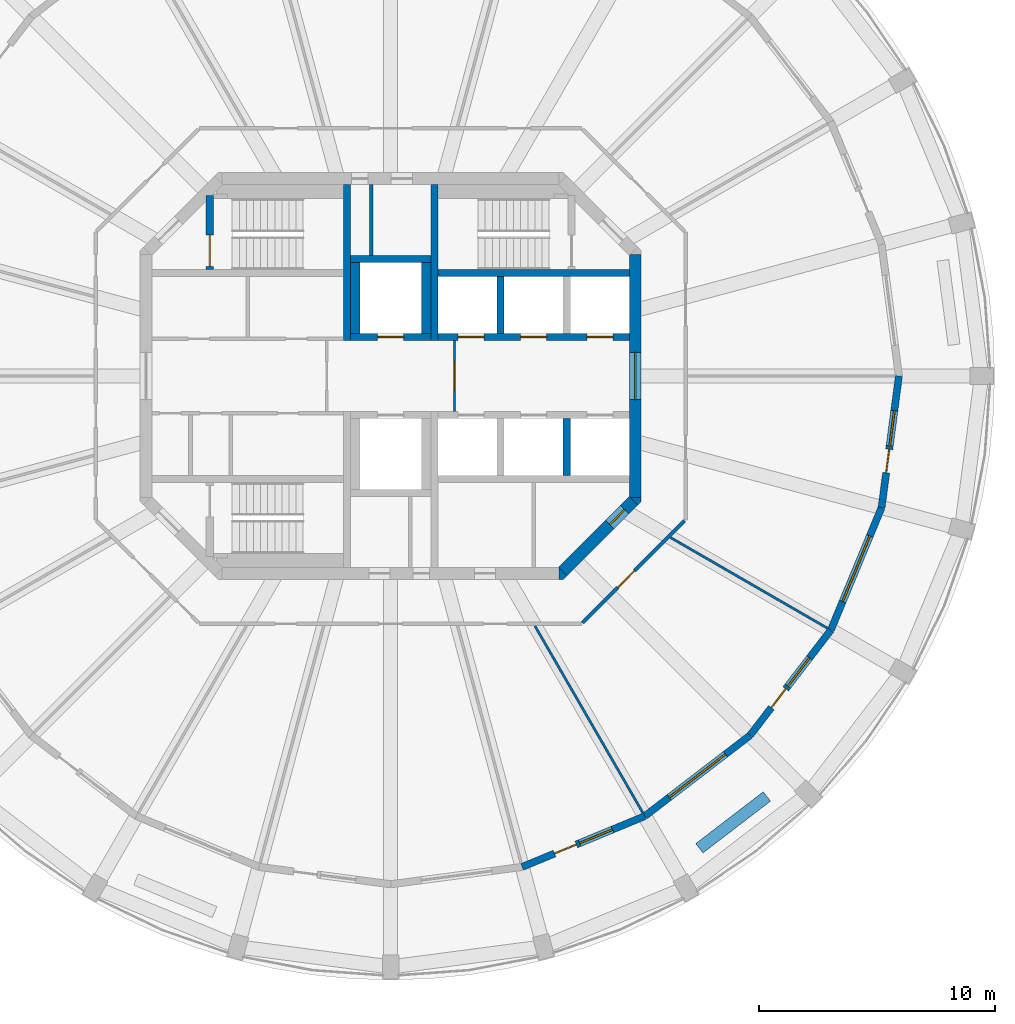
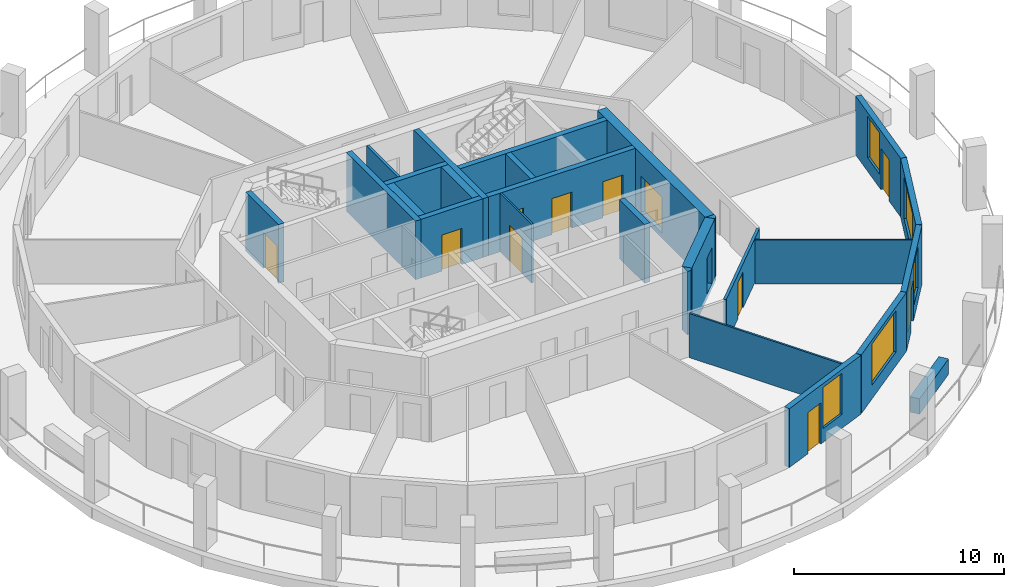
# One storey, part 4 of 8: 26 walls, 12 doors, 5 windows, 17 openings.
"""IFC4 building model written with IfcOpenShell, lengths in metres."""

from ifc_helpers import new_model, si_unit, direction, frame, frame_2d, origin, place, context, subcontext, project, spatial, polyline, rectangle, outline, extrude, material, layer, layer_set, type_object, element, fill, save


model = new_model("IFC4")

# Units and contexts
model_context = context("Model", 3, precision=1e-05, world=origin(), true_north=direction((0.0, 1.0)))
body_context = subcontext(model_context, "Body", "Model", "MODEL_VIEW")
ifc_project = project(units=[si_unit("LENGTHUNIT", "METRE"), si_unit("AREAUNIT", "SQUARE_METRE"), si_unit("VOLUMEUNIT", "CUBIC_METRE"), si_unit("PLANEANGLEUNIT", "RADIAN"), si_unit("MASSUNIT", "GRAM", prefix="KILO")], contexts=[model_context])

# Site, building, storey
site_placement = place(None, origin())
site = spatial("IfcSite", under=ifc_project, at=site_placement, CompositionType="ELEMENT")
building_placement = place(site_placement, origin())
building = spatial("IfcBuilding", under=site, at=building_placement, Name="Torre Triforio", CompositionType="ELEMENT")
storey_placement = place(building_placement, frame((0.0, 0.0, 283.39990234375)))
storey = spatial("IfcBuildingStorey", under=building, at=storey_placement, Name="L65", CompositionType="ELEMENT", Elevation=283.39990234375)

# Walls
ifc_material_1 = material(Name="Concrete C40", Category="concrete")
ifc_layer_1 = layer(ifc_material_1, 0.300048828125)
ifc_layer_set_1 = layer_set([ifc_layer_1], Name="Concrete C40")
wall_type_1 = type_object("IfcWallType", Name="Core wall 300 mm C40 EI 120", PredefinedType="SHEAR", material=ifc_layer_set_1)
for number, where, z_axis, x_axis, name in (
    (1, (-1.85009765625, 1.5, 0.0), (0.0, 0.0, 1.0), (0.0, 1.0, 0.0), "Core wall"),
    (2, (1.85009765625, 1.5, 0.0), (0.0, 0.0, 1.0), (0.0, 1.0, 0.0), "Core wall"),
):
    element("IfcWall", number, at=place(storey_placement, frame(where, z_axis=z_axis, x_axis=x_axis)), inside=storey, type_object=wall_type_1, Name=name, PredefinedType="SHEAR", context=body_context, shape_type="SweptSolid", body=[
        extrude(rectangle(XDim=6.60009765625, YDim=0.300048828125, at=frame_2d((3.300048828125, 0.0))), origin(), (0.0, 0.0, 1.0), 3.420166015625),
    ])

# Wall, opening, door
ifc_layer_2 = layer(ifc_material_1, 0.5)
ifc_layer_set_2 = layer_set([ifc_layer_2], Name="Concrete C40")
wall_type_2 = type_object("IfcWallType", Name="Core wall 500 mm C40 EI 120", PredefinedType="SHEAR", material=ifc_layer_set_2)
wall_1_placement = place(storey_placement, frame((10.35009765625, -5.1298828125, -0.27978515625), z_axis=(0.0, 0.0, 1.0), x_axis=(0.0, 1.0, 0.0)))
wall_1 = element("IfcWall", 3, at=wall_1_placement, inside=storey, type_object=wall_type_2, Name="Core wall", PredefinedType="SHEAR", context=body_context, shape_type="SweptSolid", body=[
    extrude(rectangle(XDim=10.259765625, YDim=0.5, at=frame_2d((5.1298828125, 0.0))), origin(), (0.0, 0.0, 1.0), 3.699951171875),
])
opening_1_placement = place(wall_1_placement, frame((4.1298828125, 0.0, 0.280029296875)))
opening_1 = element("IfcOpeningElement", 4, at=opening_1_placement, cuts=wall_1, Name="Opening E-RING", PredefinedType="OPENING", context=body_context, shape_type="SweptSolid", body=[
    extrude(rectangle(XDim=2.0, YDim=2.10009765625, at=frame_2d((1.0, 1.050048828125))), frame((0.0, 0.260009765625, 0.0), z_axis=(0.0, -1.0, 0.0), x_axis=(1.0, 0.0, 0.0)), (0.0, 0.0, 1.0), 0.52001953125),
])
ifc_material_2 = material(Name="Hollow metal fire door leaf")
door_type_1 = type_object("IfcDoorType", Name="Lobby door 2000 x 2100 EI 60", OperationType="DOUBLE_DOOR_SINGLE_SWING", PredefinedType="DOOR", material=ifc_material_2)
door_1_placement = place(opening_1_placement, origin())
door_1 = element("IfcDoor", 5, at=door_1_placement, inside=storey, type_object=door_type_1, Name="Core door E-RING", OperationType="DOUBLE_DOOR_SINGLE_SWING", OverallHeight=2.10009765625, OverallWidth=2.0, PredefinedType="DOOR", context=body_context, shape_type="SweptSolid", body=[
    extrude(rectangle(XDim=2.0, YDim=2.10009765625, at=frame_2d((1.0, 1.050048828125))), frame((0.0, 0.02490234375, 0.0), z_axis=(0.0, -1.0, 0.0), x_axis=(1.0, 0.0, 0.0)), (0.0, 0.0, 1.0), 0.050048828125),
])
fill(opening_1, door_1)

wall_2_placement = place(storey_placement, frame((10.27685546875, -5.27685546875, -0.27978515625), z_axis=(0.0, 0.0, 1.0), x_axis=(-0.707106781187, -0.707106781187, 0.0)))
wall_2 = element("IfcWall", 6, at=wall_2_placement, inside=storey, type_object=wall_type_2, Name="Core wall", PredefinedType="SHEAR", context=body_context, shape_type="SweptSolid", body=[
    extrude(rectangle(XDim=4.24267578125, YDim=0.5, at=frame_2d((2.121337890625, 0.0))), origin(), (0.0, 0.0, 1.0), 3.699951171875),
])
opening_2_placement = place(wall_2_placement, frame((0.52001953125, 0.0, 0.280029296875)))
opening_2 = element("IfcOpeningElement", 7, at=opening_2_placement, cuts=wall_2, Name="Opening SE-02", PredefinedType="OPENING", context=body_context, shape_type="SweptSolid", body=[
    extrude(rectangle(XDim=0.89990234375, YDim=2.10009765625, at=frame_2d((0.449951171875, 1.050048828125))), frame((0.0, 0.260009765625, 0.0), z_axis=(0.0, -1.0, 0.0), x_axis=(1.0, 0.0, 0.0)), (0.0, 0.0, 1.0), 0.52001953125),
])
door_type_2 = type_object("IfcDoorType", Name="Room door 900 x 2100 EI 60", OperationType="NOTDEFINED", PredefinedType="DOOR", material=ifc_material_2)
door_2_placement = place(opening_2_placement, origin())
door_2 = element("IfcDoor", 8, at=door_2_placement, inside=storey, type_object=door_type_2, Name="Core door SE-02", OperationType="SINGLE_SWING_RIGHT", OverallHeight=2.10009765625, OverallWidth=0.89990234375, PredefinedType="DOOR", context=body_context, shape_type="SweptSolid", body=[
    extrude(rectangle(XDim=0.89990234375, YDim=2.10009765625, at=frame_2d((0.449951171875, 1.050048828125))), frame((0.0, 0.02490234375, 0.0), z_axis=(0.0, -1.0, 0.0), x_axis=(1.0, 0.0, 0.0)), (0.0, 0.0, 1.0), 0.050048828125),
])
fill(opening_2, door_2)

# Walls
wall_3_placement = place(storey_placement, frame((0.0, 0.0, -0.27978515625)))
element("IfcWall", 9, at=wall_3_placement, inside=storey, type_object=wall_type_2, Name="Core wall", PredefinedType="SHEAR", context=body_context, shape_type="SweptSolid", body=[
    extrude(outline(polyline([(7.30712890625, -8.60009765625), (7.1298828125, -8.60009765625), (7.1298828125, -8.1298828125), (7.45361328125, -8.45361328125), (7.30712890625, -8.60009765625)])), origin(), (0.0, 0.0, 1.0), 3.699951171875),
])
wall_4_placement = place(storey_placement, frame((0.0, 0.0, -0.27978515625)))
element("IfcWall", 10, at=wall_4_placement, inside=storey, type_object=wall_type_2, Name="Core wall", PredefinedType="SHEAR", context=body_context, shape_type="SweptSolid", body=[
    extrude(outline(polyline([(10.60009765625, -5.30712890625), (10.45361328125, -5.45361328125), (10.1298828125, -5.1298828125), (10.60009765625, -5.1298828125), (10.60009765625, -5.30712890625)])), origin(), (0.0, 0.0, 1.0), 3.699951171875),
])

# Wall, opening, door
ifc_material_3 = material(Name="Plasterboard on metal studs")
ifc_layer_3 = layer(ifc_material_3, 0.14990234375)
ifc_layer_set_3 = layer_set([ifc_layer_3], Name="Plasterboard on metal studs")
wall_type_3 = type_object("IfcWallType", Name="Corridor and tenancy wall 150 mm EI 60", PredefinedType="PARTITIONING", material=ifc_layer_set_3)
wall_5_placement = place(storey_placement, frame((12.43798828125, -6.120849609375, 0.0), z_axis=(0.0, 0.0, 1.0), x_axis=(-0.707106781187, -0.707106781187, 0.0)))
wall_5 = element("IfcWall", 11, at=wall_5_placement, inside=storey, type_object=wall_type_3, Name="Partition 1", PredefinedType="PARTITIONING", context=body_context, shape_type="SweptSolid", body=[
    extrude(rectangle(XDim=6.10546875, YDim=0.14990234375, at=frame_2d((3.052734375, 0.0))), origin(), (0.0, 0.0, 1.0), 2.570068359375),
])
opening_3_placement = place(wall_5_placement, frame((3.001953125, 0.0, 0.0)))
opening_3 = element("IfcOpeningElement", 12, at=opening_3_placement, cuts=wall_5, Name="Opening X1-01", PredefinedType="OPENING", context=body_context, shape_type="SweptSolid", body=[
    extrude(rectangle(XDim=1.0, YDim=2.10009765625, at=frame_2d((0.5, 1.050048828125))), frame((0.0, 0.0849609375, 0.0), z_axis=(0.0, -1.0, 0.0), x_axis=(1.0, 0.0, 0.0)), (0.0, 0.0, 1.0), 0.169921875),
])
ifc_material_4 = material(Name="Timber", Category="wood")
door_type_3 = type_object("IfcDoorType", Name="Door 1000 x 2100 single leaf EI 30", OperationType="NOTDEFINED", PredefinedType="DOOR", material=ifc_material_4)
door_3_placement = place(opening_3_placement, origin())
door_3 = element("IfcDoor", 13, at=door_3_placement, inside=storey, type_object=door_type_3, Name="Door X1-01", OperationType="SINGLE_SWING_LEFT", OverallHeight=2.10009765625, OverallWidth=1.0, PredefinedType="DOOR", context=body_context, shape_type="SweptSolid", body=[
    extrude(rectangle(XDim=1.0, YDim=2.10009765625, at=frame_2d((0.5, 1.050048828125))), frame((0.0, 0.02490234375, 0.0), z_axis=(0.0, -1.0, 0.0), x_axis=(1.0, 0.0, 0.0)), (0.0, 0.0, 1.0), 0.050048828125),
])
fill(opening_3, door_3)

ifc_material_5 = material(Name="Block and board partition")
ifc_layer_4 = layer(ifc_material_5, 0.10009765625)
ifc_layer_set_4 = layer_set([ifc_layer_4], Name="Block and board partition")
wall_type_4 = type_object("IfcWallType", Name="Partition 100 mm EI 120", PredefinedType="PARTITIONING", material=ifc_layer_set_4)
wall_6_placement = place(storey_placement, frame((2.699951171875, -1.5, 0.0), z_axis=(0.0, 0.0, 1.0), x_axis=(0.0, 1.0, 0.0)))
wall_6 = element("IfcWall", 14, at=wall_6_placement, inside=storey, type_object=wall_type_4, Name="Partition", PredefinedType="PARTITIONING", context=body_context, shape_type="SweptSolid", body=[
    extrude(rectangle(XDim=3.0, YDim=0.10009765625, at=frame_2d((1.5, 0.0))), origin(), (0.0, 0.0, 1.0), 3.420166015625),
])
opening_4_placement = place(wall_6_placement, frame((0.89990234375, 0.0, 0.0)))
opening_4 = element("IfcOpeningElement", 15, at=opening_4_placement, cuts=wall_6, Name="Opening FF-E", PredefinedType="OPENING", context=body_context, shape_type="SweptSolid", body=[
    extrude(rectangle(XDim=1.199951171875, YDim=2.10009765625, at=frame_2d((0.60009765625, 1.050048828125))), frame((0.0, 0.06005859375, 0.0), z_axis=(0.0, -1.0, 0.0), x_axis=(1.0, 0.0, 0.0)), (0.0, 0.0, 1.0), 0.1201171875),
])
door_type_4 = type_object("IfcDoorType", Name="Fire-fighting lobby door 1200 x 2100 EI 60", OperationType="NOTDEFINED", PredefinedType="DOOR", material=ifc_material_2)
door_4_placement = place(opening_4_placement, origin())
door_4 = element("IfcDoor", 16, at=door_4_placement, inside=storey, type_object=door_type_4, Name="Core door FF-E", OperationType="SINGLE_SWING_LEFT", OverallHeight=2.10009765625, OverallWidth=1.199951171875, PredefinedType="DOOR", context=body_context, shape_type="SweptSolid", body=[
    extrude(rectangle(XDim=1.199951171875, YDim=2.10009765625, at=frame_2d((0.60009765625, 1.050048828125))), frame((0.0, 0.02490234375, 0.0), z_axis=(0.0, -1.0, 0.0), x_axis=(1.0, 0.0, 0.0)), (0.0, 0.0, 1.0), 0.050048828125),
])
fill(opening_4, door_4)

# Walls
ifc_layer_5 = layer(ifc_material_3, 0.10009765625)
ifc_layer_set_5 = layer_set([ifc_layer_5], Name="Plasterboard on metal studs")
wall_type_5 = type_object("IfcWallType", Name="Partition 100 mm board on metal studs", PredefinedType="PARTITIONING", material=ifc_layer_set_5)
wall_7_placement = place(storey_placement, frame((6.105224609375, -10.57470703125, 0.0), z_axis=(0.0, 0.0, 1.0), x_axis=(0.500020406621, -0.866013621696, 0.0)))
element("IfcWall", 17, at=wall_7_placement, inside=storey, type_object=wall_type_5, Name="Partition 24", PredefinedType="PARTITIONING", context=body_context, shape_type="SweptSolid", body=[
    extrude(rectangle(XDim=9.1259765625, YDim=0.10009765625, at=frame_2d((4.56298828125, 0.0))), origin(), (0.0, 0.0, 1.0), 2.570068359375),
])
wall_8_placement = place(storey_placement, frame((11.845947265625, -6.839111328125, 0.0), z_axis=(0.0, 0.0, 1.0), x_axis=(0.866007734672, -0.500030602552, 0.0)))
element("IfcWall", 18, at=wall_8_placement, inside=storey, type_object=wall_type_5, Name="Partition 25", PredefinedType="PARTITIONING", context=body_context, shape_type="SweptSolid", body=[
    extrude(rectangle(XDim=7.658203125, YDim=0.10009765625, at=frame_2d((3.8291015625, 0.0))), origin(), (0.0, 0.0, 1.0), 2.570068359375),
])
ifc_layer_6 = layer(ifc_material_5, 0.14990234375)
ifc_layer_set_6 = layer_set([ifc_layer_6], Name="Block and board partition")
wall_type_6 = type_object("IfcWallType", Name="Partition 150 mm EI 120", PredefinedType="PARTITIONING", material=ifc_layer_set_6)
wall_9_placement = place(storey_placement, frame((-0.824951171875, 5.10009765625, 0.0), z_axis=(0.0, 0.0, 1.0), x_axis=(0.0, 1.0, 0.0)))
element("IfcWall", 19, at=wall_9_placement, inside=storey, type_object=wall_type_6, Name="Partition", PredefinedType="PARTITIONING", context=body_context, shape_type="SweptSolid", body=[
    extrude(rectangle(XDim=3.0, YDim=0.14990234375, at=frame_2d((1.5, 0.0))), origin(), (0.0, 0.0, 1.0), 3.420166015625),
])
ifc_material_6 = material(Name="Limestone cladding", Category="masonry")
ifc_layer_7 = layer(ifc_material_6, 0.10009765625)
ifc_layer_8 = layer(ifc_material_1, 0.39990234375)
ifc_layer_set_7 = layer_set([ifc_layer_7, ifc_layer_8], Name="Limestone cladding / Concrete C40")
wall_type_7 = type_object("IfcWallType", Name="Planter wall 500", PredefinedType="PARAPET", material=ifc_layer_set_7)
wall_10_placement = place(storey_placement, frame((13.060546875, -19.9775390625, 0.0), z_axis=(0.0, 0.0, 1.0), x_axis=(0.793326845617, 0.608795955984, 0.0)))
element("IfcWall", 20, at=wall_10_placement, inside=storey, type_object=wall_type_7, Name="Planter L65 bay 21", PredefinedType="PARAPET", context=body_context, shape_type="SweptSolid", body=[
    extrude(rectangle(XDim=3.599853515625, YDim=0.5, at=frame_2d((1.7998046875, 0.0))), origin(), (0.0, 0.0, 1.0), 0.900146484375),
])
ifc_layer_9 = layer(ifc_material_1, 0.300048828125)
ifc_layer_set_8 = layer_set([ifc_layer_9], Name="Concrete C40")
wall_type_8 = type_object("IfcWallType", Name="Shaft wall 300 mm C40 EI 120", PredefinedType="SOLIDWALL", material=ifc_layer_set_8)
wall_11_placement = place(storey_placement, frame((2.0, 4.35009765625, 0.0), z_axis=(0.0, 0.0, 1.0), x_axis=(1.0, 0.0, 0.0)))
element("IfcWall", 21, at=wall_11_placement, inside=storey, type_object=wall_type_8, Name="Shaft wall", PredefinedType="SOLIDWALL", context=body_context, shape_type="SweptSolid", body=[
    extrude(rectangle(XDim=8.10009765625, YDim=0.300048828125, at=frame_2d((4.050048828125, 0.0))), origin(), (0.0, 0.0, 1.0), 3.420166015625),
])

# Wall, openings, doors
wall_12_placement = place(storey_placement, frame((2.0, 1.64990234375, 0.0), z_axis=(0.0, 0.0, 1.0), x_axis=(1.0, 0.0, 0.0)))
wall_12 = element("IfcWall", 22, at=wall_12_placement, inside=storey, type_object=wall_type_8, Name="Shaft wall", PredefinedType="SOLIDWALL", context=body_context, shape_type="SweptSolid", body=[
    extrude(rectangle(XDim=8.10009765625, YDim=0.300048828125, at=frame_2d((4.050048828125, 0.0))), origin(), (0.0, 0.0, 1.0), 3.420166015625),
])
opening_5_placement = place(wall_12_placement, frame((0.85009765625, 0.0, 0.0)))
opening_5 = element("IfcOpeningElement", 23, at=opening_5_placement, cuts=wall_12, Name="Opening LD", PredefinedType="OPENING", context=body_context, shape_type="SweptSolid", body=[
    extrude(rectangle(XDim=1.10009765625, YDim=2.10009765625, at=frame_2d((0.550048828125, 1.050048828125))), frame((0.0, 0.159912109375, 0.0), z_axis=(0.0, -1.0, 0.0), x_axis=(1.0, 0.0, 0.0)), (0.0, 0.0, 1.0), 0.320068359375),
])
opening_6_placement = place(wall_12_placement, frame((3.5, 0.0, 0.0)))
opening_6 = element("IfcOpeningElement", 24, at=opening_6_placement, cuts=wall_12, Name="Opening LD", PredefinedType="OPENING", context=body_context, shape_type="SweptSolid", body=[
    extrude(rectangle(XDim=1.10009765625, YDim=2.10009765625, at=frame_2d((0.550048828125, 1.050048828125))), frame((0.0, 0.159912109375, 0.0), z_axis=(0.0, -1.0, 0.0), x_axis=(1.0, 0.0, 0.0)), (0.0, 0.0, 1.0), 0.320068359375),
])
opening_7_placement = place(wall_12_placement, frame((6.300048828125, 0.0, 0.0)))
opening_7 = element("IfcOpeningElement", 25, at=opening_7_placement, cuts=wall_12, Name="Opening LD", PredefinedType="OPENING", context=body_context, shape_type="SweptSolid", body=[
    extrude(rectangle(XDim=1.10009765625, YDim=2.10009765625, at=frame_2d((0.550048828125, 1.050048828125))), frame((0.0, 0.159912109375, 0.0), z_axis=(0.0, -1.0, 0.0), x_axis=(1.0, 0.0, 0.0)), (0.0, 0.0, 1.0), 0.320068359375),
])
door_type_5 = type_object("IfcDoorType", Name="Landing door 1100 x 2100 EI 60", OperationType="DOUBLE_DOOR_SLIDING", PredefinedType="DOOR", material=ifc_material_2)
door_5_placement = place(opening_5_placement, origin())
door_5 = element("IfcDoor", 26, at=door_5_placement, inside=storey, type_object=door_type_5, Name="Landing door HR1", OperationType="DOUBLE_DOOR_SLIDING", OverallHeight=2.10009765625, OverallWidth=1.10009765625, PredefinedType="DOOR", context=body_context, shape_type="SweptSolid", body=[
    extrude(rectangle(XDim=1.10009765625, YDim=2.10009765625, at=frame_2d((0.550048828125, 1.050048828125))), frame((0.0, 0.02490234375, 0.0), z_axis=(0.0, -1.0, 0.0), x_axis=(1.0, 0.0, 0.0)), (0.0, 0.0, 1.0), 0.050048828125),
])
fill(opening_5, door_5)
door_6_placement = place(opening_6_placement, origin())
door_6 = element("IfcDoor", 27, at=door_6_placement, inside=storey, type_object=door_type_5, Name="Landing door HR2", OperationType="DOUBLE_DOOR_SLIDING", OverallHeight=2.10009765625, OverallWidth=1.10009765625, PredefinedType="DOOR", context=body_context, shape_type="SweptSolid", body=[
    extrude(rectangle(XDim=1.10009765625, YDim=2.10009765625, at=frame_2d((0.550048828125, 1.050048828125))), frame((0.0, 0.02490234375, 0.0), z_axis=(0.0, -1.0, 0.0), x_axis=(1.0, 0.0, 0.0)), (0.0, 0.0, 1.0), 0.050048828125),
])
fill(opening_6, door_6)
door_7_placement = place(opening_7_placement, origin())
door_7 = element("IfcDoor", 28, at=door_7_placement, inside=storey, type_object=door_type_5, Name="Landing door HR3", OperationType="DOUBLE_DOOR_SLIDING", OverallHeight=2.10009765625, OverallWidth=1.10009765625, PredefinedType="DOOR", context=body_context, shape_type="SweptSolid", body=[
    extrude(rectangle(XDim=1.10009765625, YDim=2.10009765625, at=frame_2d((0.550048828125, 1.050048828125))), frame((0.0, 0.02490234375, 0.0), z_axis=(0.0, -1.0, 0.0), x_axis=(1.0, 0.0, 0.0)), (0.0, 0.0, 1.0), 0.050048828125),
])
fill(opening_7, door_7)

# Walls
for number, where, z_axis, x_axis, name in (
    (29, (4.64990234375, 1.800048828125, 0.0), (0.0, 0.0, 1.0), (0.0, 1.0, 0.0), "Shaft wall"),
    (30, (7.449951171875, -4.199951171875, 0.0), (0.0, 0.0, 1.0), (0.0, 1.0, 0.0), "Shaft wall"),
):
    element("IfcWall", number, at=place(storey_placement, frame(where, z_axis=z_axis, x_axis=x_axis)), inside=storey, type_object=wall_type_8, Name=name, PredefinedType="SOLIDWALL", context=body_context, shape_type="SweptSolid", body=[
        extrude(rectangle(XDim=2.39990234375, YDim=0.300048828125, at=frame_2d((1.199951171875, 0.0))), origin(), (0.0, 0.0, 1.0), 3.420166015625),
    ])

# Wall, opening, door
wall_13_placement = place(storey_placement, frame((-1.699951171875, 1.64990234375, 0.0), z_axis=(0.0, 0.0, 1.0), x_axis=(1.0, 0.0, 0.0)))
wall_13 = element("IfcWall", 31, at=wall_13_placement, inside=storey, type_object=wall_type_8, Name="Shaft wall", PredefinedType="SOLIDWALL", context=body_context, shape_type="SweptSolid", body=[
    extrude(rectangle(XDim=3.39990234375, YDim=0.300048828125, at=frame_2d((1.699951171875, 0.0))), origin(), (0.0, 0.0, 1.0), 3.420166015625),
])
opening_8_placement = place(wall_13_placement, frame((1.14990234375, 0.0, 0.0)))
opening_8 = element("IfcOpeningElement", 32, at=opening_8_placement, cuts=wall_13, Name="Opening LD", PredefinedType="OPENING", context=body_context, shape_type="SweptSolid", body=[
    extrude(rectangle(XDim=1.10009765625, YDim=2.10009765625, at=frame_2d((0.550048828125, 1.050048828125))), frame((0.0, 0.159912109375, 0.0), z_axis=(0.0, -1.0, 0.0), x_axis=(1.0, 0.0, 0.0)), (0.0, 0.0, 1.0), 0.320068359375),
])
door_8_placement = place(opening_8_placement, origin())
door_8 = element("IfcDoor", 33, at=door_8_placement, inside=storey, type_object=door_type_5, Name="Landing door FFL1", OperationType="DOUBLE_DOOR_SLIDING", OverallHeight=2.10009765625, OverallWidth=1.10009765625, PredefinedType="DOOR", context=body_context, shape_type="SweptSolid", body=[
    extrude(rectangle(XDim=1.10009765625, YDim=2.10009765625, at=frame_2d((0.550048828125, 1.050048828125))), frame((0.0, 0.02490234375, 0.0), z_axis=(0.0, -1.0, 0.0), x_axis=(1.0, 0.0, 0.0)), (0.0, 0.0, 1.0), 0.050048828125),
])
fill(opening_8, door_8)

# Walls
wall_14_placement = place(storey_placement, frame((-1.699951171875, 4.949951171875, 0.0), z_axis=(0.0, 0.0, 1.0), x_axis=(1.0, 0.0, 0.0)))
element("IfcWall", 34, at=wall_14_placement, inside=storey, type_object=wall_type_8, Name="Shaft wall", PredefinedType="SOLIDWALL", context=body_context, shape_type="SweptSolid", body=[
    extrude(rectangle(XDim=3.39990234375, YDim=0.300048828125, at=frame_2d((1.699951171875, 0.0))), origin(), (0.0, 0.0, 1.0), 3.420166015625),
])
ifc_layer_10 = layer(ifc_material_1, 0.39990234375)
ifc_layer_set_9 = layer_set([ifc_layer_10], Name="Concrete C40")
wall_type_9 = type_object("IfcWallType", Name="Shaft wall 400 mm C40 EI 120", PredefinedType="SOLIDWALL", material=ifc_layer_set_9)
for number, where, z_axis, x_axis, name in (
    (35, (-1.5, 1.800048828125, 0.0), (0.0, 0.0, 1.0), (0.0, 1.0, 0.0), "Shaft wall"),
    (36, (1.5, 1.800048828125, 0.0), (0.0, 0.0, 1.0), (0.0, 1.0, 0.0), "Shaft wall"),
):
    element("IfcWall", number, at=place(storey_placement, frame(where, z_axis=z_axis, x_axis=x_axis)), inside=storey, type_object=wall_type_9, Name=name, PredefinedType="SOLIDWALL", context=body_context, shape_type="SweptSolid", body=[
        extrude(rectangle(XDim=3.0, YDim=0.39990234375, at=frame_2d((1.5, 0.0))), origin(), (0.0, 0.0, 1.0), 3.420166015625),
    ])

# Wall, opening, door
ifc_layer_11 = layer(ifc_material_1, 0.300048828125)
ifc_layer_set_10 = layer_set([ifc_layer_11], Name="Concrete C40")
wall_type_10 = type_object("IfcWallType", Name="Stair wall 300 mm C40 EI 120", PredefinedType="SHEAR", material=ifc_layer_set_10)
wall_15_placement = place(storey_placement, frame((-7.64990234375, 4.5, 0.0), z_axis=(0.0, 0.0, 1.0), x_axis=(0.0, 1.0, 0.0)))
wall_15 = element("IfcWall", 37, at=wall_15_placement, inside=storey, type_object=wall_type_10, Name="Stair wall", PredefinedType="SHEAR", context=body_context, shape_type="SweptSolid", body=[
    extrude(rectangle(XDim=3.139892578125, YDim=0.300048828125, at=frame_2d((1.56982421875, 0.0))), origin(), (0.0, 0.0, 1.0), 3.420166015625),
])
opening_9_placement = place(wall_15_placement, frame((0.139892578125, 0.0, 0.0)))
opening_9 = element("IfcOpeningElement", 38, at=opening_9_placement, cuts=wall_15, Name="Opening ST1-STA", PredefinedType="OPENING", context=body_context, shape_type="SweptSolid", body=[
    extrude(rectangle(XDim=1.320068359375, YDim=2.10009765625, at=frame_2d((0.66015625, 1.050048828125))), frame((0.0, 0.159912109375, 0.0), z_axis=(0.0, -1.0, 0.0), x_axis=(1.0, 0.0, 0.0)), (0.0, 0.0, 1.0), 0.320068359375),
])
door_type_6 = type_object("IfcDoorType", Name="Stair door 1320 x 2100 EI 90", OperationType="DOUBLE_DOOR_SINGLE_SWING", PredefinedType="DOOR", material=ifc_material_2)
door_9_placement = place(opening_9_placement, origin())
door_9 = element("IfcDoor", 39, at=door_9_placement, inside=storey, type_object=door_type_6, Name="Core door ST1-ST", OperationType="DOUBLE_DOOR_SINGLE_SWING", OverallHeight=2.10009765625, OverallWidth=1.320068359375, PredefinedType="DOOR", context=body_context, shape_type="SweptSolid", body=[
    extrude(rectangle(XDim=1.320068359375, YDim=2.10009765625, at=frame_2d((0.66015625, 1.050048828125))), frame((0.0, 0.02490234375, 0.0), z_axis=(0.0, -1.0, 0.0), x_axis=(1.0, 0.0, 0.0)), (0.0, 0.0, 1.0), 0.050048828125),
])
fill(opening_9, door_9)

# Wall, openings, door, window
ifc_layer_12 = layer(ifc_material_6, 0.10009765625)
ifc_layer_13 = layer(ifc_material_1, 0.199951171875)
ifc_layer_set_11 = layer_set([ifc_layer_12, ifc_layer_13], Name="Limestone cladding / Concrete C40")
wall_type_11 = type_object("IfcWallType", Name="Stone-faced composite wall 300", PredefinedType="STANDARD", material=ifc_layer_set_11)
wall_16_placement = place(storey_placement, frame((5.564697265625, -20.767333984375, 0.0), z_axis=(0.0, 0.0, 1.0), x_axis=(0.92387156362, 0.382702670405, 0.0)))
wall_16 = element("IfcWall", 40, at=wall_16_placement, inside=storey, type_object=wall_type_11, Name="External wall L65 bay 20", PredefinedType="STANDARD", context=body_context, shape_type="SweptSolid", body=[
    extrude(rectangle(XDim=5.612548828125, YDim=0.300048828125, at=frame_2d((2.80615234375, 0.0))), origin(), (0.0, 0.0, 1.0), 3.420166015625),
])
opening_10_placement = place(wall_16_placement, frame((1.481201171875, 0.0, 0.0)))
opening_10 = element("IfcOpeningElement", 41, at=opening_10_placement, cuts=wall_16, Name="Opening X1-D20", PredefinedType="OPENING", context=body_context, shape_type="SweptSolid", body=[
    extrude(rectangle(XDim=1.0, YDim=2.39990234375, at=frame_2d((0.5, 1.199951171875))), frame((0.0, 0.159912109375, 0.0), z_axis=(0.0, -1.0, 0.0), x_axis=(1.0, 0.0, 0.0)), (0.0, 0.0, 1.0), 0.320068359375),
])
opening_11_placement = place(wall_16_placement, frame((2.63134765625, 0.0, 0.800048828125)))
opening_11 = element("IfcOpeningElement", 42, at=opening_11_placement, cuts=wall_16, Name="Opening X1-W20A", PredefinedType="OPENING", context=body_context, shape_type="SweptSolid", body=[
    extrude(rectangle(XDim=1.5, YDim=2.39990234375, at=frame_2d((0.75, 1.199951171875))), frame((0.0, 0.159912109375, 0.0), z_axis=(0.0, -1.0, 0.0), x_axis=(1.0, 0.0, 0.0)), (0.0, 0.0, 1.0), 0.320068359375),
])
ifc_material_7 = material(Name="Aluminium frame with clear double glazing", Category="aluminium")
door_type_7 = type_object("IfcDoorType", Name="Loggia door 1000 x 2400", OperationType="NOTDEFINED", PredefinedType="DOOR", material=ifc_material_7)
door_10_placement = place(opening_10_placement, origin())
door_10 = element("IfcDoor", 43, at=door_10_placement, inside=storey, type_object=door_type_7, Name="Loggia door L65 bay 20", OperationType="SINGLE_SWING_LEFT", OverallHeight=2.39990234375, OverallWidth=1.0, PredefinedType="DOOR", context=body_context, shape_type="SweptSolid", body=[
    extrude(rectangle(XDim=1.0, YDim=2.39990234375, at=frame_2d((0.5, 1.199951171875))), frame((0.0, 0.02490234375, 0.0), z_axis=(0.0, -1.0, 0.0), x_axis=(1.0, 0.0, 0.0)), (0.0, 0.0, 1.0), 0.050048828125),
])
fill(opening_10, door_10)
window_type_1 = type_object("IfcWindowType", Name="Side window 1500 x 2400", PartitioningType="SINGLE_PANEL", PredefinedType="WINDOW", material=ifc_material_7)
window_1_placement = place(opening_11_placement, origin())
window_1 = element("IfcWindow", 44, at=window_1_placement, inside=storey, type_object=window_type_1, Name="Side window EWN14 L65 bay 20", OverallHeight=2.39990234375, OverallWidth=1.5, PartitioningType="SINGLE_PANEL", PredefinedType="WINDOW", context=body_context, shape_type="SweptSolid", body=[
    extrude(rectangle(XDim=1.5, YDim=2.39990234375, at=frame_2d((0.75, 1.199951171875))), frame((0.0, 0.030029296875, 0.0), z_axis=(0.0, -1.0, 0.0), x_axis=(1.0, 0.0, 0.0)), (0.0, 0.0, 1.0), 0.06005859375),
])
fill(opening_11, window_1)

# Wall, opening, window
wall_17_placement = place(storey_placement, frame((10.75, -18.619384765625, 0.0), z_axis=(0.0, 0.0, 1.0), x_axis=(0.793380165925, 0.608726467567, 0.0)))
wall_17 = element("IfcWall", 45, at=wall_17_placement, inside=storey, type_object=wall_type_11, Name="External wall L65 bay 21", PredefinedType="STANDARD", context=body_context, shape_type="SweptSolid", body=[
    extrude(rectangle(XDim=5.612548828125, YDim=0.300048828125, at=frame_2d((2.80615234375, 0.0))), origin(), (0.0, 0.0, 1.0), 3.420166015625),
])
opening_12_placement = place(wall_17_placement, frame((1.306396484375, 0.0, 0.800048828125)))
opening_12 = element("IfcOpeningElement", 46, at=opening_12_placement, cuts=wall_17, Name="Opening X1-W21", PredefinedType="OPENING", context=body_context, shape_type="SweptSolid", body=[
    extrude(rectangle(XDim=3.0, YDim=2.39990234375, at=frame_2d((1.5, 1.199951171875))), frame((0.0, 0.159912109375, 0.0), z_axis=(0.0, -1.0, 0.0), x_axis=(1.0, 0.0, 0.0)), (0.0, 0.0, 1.0), 0.320068359375),
])
window_type_2 = type_object("IfcWindowType", Name="Punched window 3000 x 2400", PartitioningType="DOUBLE_PANEL_VERTICAL", PredefinedType="WINDOW", material=ifc_material_7)
window_2_placement = place(opening_12_placement, origin())
window_2 = element("IfcWindow", 47, at=window_2_placement, inside=storey, type_object=window_type_2, Name="Window EWN6 L65 bay 21", OverallHeight=2.39990234375, OverallWidth=3.0, PartitioningType="SINGLE_PANEL", PredefinedType="WINDOW", context=body_context, shape_type="SweptSolid", body=[
    extrude(rectangle(XDim=3.0, YDim=2.39990234375, at=frame_2d((1.5, 1.199951171875))), frame((0.0, 0.030029296875, 0.0), z_axis=(0.0, -1.0, 0.0), x_axis=(1.0, 0.0, 0.0)), (0.0, 0.0, 1.0), 0.06005859375),
])
fill(opening_12, window_2)

# Wall, openings, door, window
wall_18_placement = place(storey_placement, frame((15.202880859375, -15.202880859375, 0.0), z_axis=(0.0, 0.0, 1.0), x_axis=(0.608726467567, 0.793380165925, 0.0)))
wall_18 = element("IfcWall", 48, at=wall_18_placement, inside=storey, type_object=wall_type_11, Name="External wall L65 bay 22", PredefinedType="STANDARD", context=body_context, shape_type="SweptSolid", body=[
    extrude(rectangle(XDim=5.612548828125, YDim=0.300048828125, at=frame_2d((2.80615234375, 0.0))), origin(), (0.0, 0.0, 1.0), 3.420166015625),
])
opening_13_placement = place(wall_18_placement, frame((1.481201171875, 0.0, 0.0)))
opening_13 = element("IfcOpeningElement", 49, at=opening_13_placement, cuts=wall_18, Name="Opening X1-D22", PredefinedType="OPENING", context=body_context, shape_type="SweptSolid", body=[
    extrude(rectangle(XDim=1.0, YDim=2.39990234375, at=frame_2d((0.5, 1.199951171875))), frame((0.0, 0.159912109375, 0.0), z_axis=(0.0, -1.0, 0.0), x_axis=(1.0, 0.0, 0.0)), (0.0, 0.0, 1.0), 0.320068359375),
])
opening_14_placement = place(wall_18_placement, frame((2.63134765625, 0.0, 0.800048828125)))
opening_14 = element("IfcOpeningElement", 50, at=opening_14_placement, cuts=wall_18, Name="Opening X1-W22A", PredefinedType="OPENING", context=body_context, shape_type="SweptSolid", body=[
    extrude(rectangle(XDim=1.5, YDim=2.39990234375, at=frame_2d((0.75, 1.199951171875))), frame((0.0, 0.159912109375, 0.0), z_axis=(0.0, -1.0, 0.0), x_axis=(1.0, 0.0, 0.0)), (0.0, 0.0, 1.0), 0.320068359375),
])
door_11_placement = place(opening_13_placement, origin())
door_11 = element("IfcDoor", 51, at=door_11_placement, inside=storey, type_object=door_type_7, Name="Loggia door L65 bay 22", OperationType="SINGLE_SWING_LEFT", OverallHeight=2.39990234375, OverallWidth=1.0, PredefinedType="DOOR", context=body_context, shape_type="SweptSolid", body=[
    extrude(rectangle(XDim=1.0, YDim=2.39990234375, at=frame_2d((0.5, 1.199951171875))), frame((0.0, 0.02490234375, 0.0), z_axis=(0.0, -1.0, 0.0), x_axis=(1.0, 0.0, 0.0)), (0.0, 0.0, 1.0), 0.050048828125),
])
fill(opening_13, door_11)
window_3_placement = place(opening_14_placement, origin())
window_3 = element("IfcWindow", 52, at=window_3_placement, inside=storey, type_object=window_type_1, Name="Side window EWN14 L65 bay 22", OverallHeight=2.39990234375, OverallWidth=1.5, PartitioningType="SINGLE_PANEL", PredefinedType="WINDOW", context=body_context, shape_type="SweptSolid", body=[
    extrude(rectangle(XDim=1.5, YDim=2.39990234375, at=frame_2d((0.75, 1.199951171875))), frame((0.0, 0.030029296875, 0.0), z_axis=(0.0, -1.0, 0.0), x_axis=(1.0, 0.0, 0.0)), (0.0, 0.0, 1.0), 0.06005859375),
])
fill(opening_14, window_3)

# Wall, opening, window
wall_19_placement = place(storey_placement, frame((18.619384765625, -10.75, 0.0), z_axis=(0.0, 0.0, 1.0), x_axis=(0.382702670405, 0.92387156362, 0.0)))
wall_19 = element("IfcWall", 53, at=wall_19_placement, inside=storey, type_object=wall_type_11, Name="External wall L65 bay 23", PredefinedType="STANDARD", context=body_context, shape_type="SweptSolid", body=[
    extrude(rectangle(XDim=5.612548828125, YDim=0.300048828125, at=frame_2d((2.80615234375, 0.0))), origin(), (0.0, 0.0, 1.0), 3.420166015625),
])
opening_15_placement = place(wall_19_placement, frame((1.306396484375, 0.0, 0.800048828125)))
opening_15 = element("IfcOpeningElement", 54, at=opening_15_placement, cuts=wall_19, Name="Opening X1-W23", PredefinedType="OPENING", context=body_context, shape_type="SweptSolid", body=[
    extrude(rectangle(XDim=3.0, YDim=2.39990234375, at=frame_2d((1.5, 1.199951171875))), frame((0.0, 0.159912109375, 0.0), z_axis=(0.0, -1.0, 0.0), x_axis=(1.0, 0.0, 0.0)), (0.0, 0.0, 1.0), 0.320068359375),
])
window_4_placement = place(opening_15_placement, origin())
window_4 = element("IfcWindow", 55, at=window_4_placement, inside=storey, type_object=window_type_2, Name="Window EWN6 L65 bay 23", OverallHeight=2.39990234375, OverallWidth=3.0, PartitioningType="SINGLE_PANEL", PredefinedType="WINDOW", context=body_context, shape_type="SweptSolid", body=[
    extrude(rectangle(XDim=3.0, YDim=2.39990234375, at=frame_2d((1.5, 1.199951171875))), frame((0.0, 0.030029296875, 0.0), z_axis=(0.0, -1.0, 0.0), x_axis=(1.0, 0.0, 0.0)), (0.0, 0.0, 1.0), 0.06005859375),
])
fill(opening_15, window_4)

# Wall, openings, door, window
wall_20_placement = place(storey_placement, frame((20.767333984375, -5.564697265625, 0.0), z_axis=(0.0, 0.0, 1.0), x_axis=(0.130536651449, 0.991443484334, 0.0)))
wall_20 = element("IfcWall", 56, at=wall_20_placement, inside=storey, type_object=wall_type_11, Name="External wall L65 bay 24", PredefinedType="STANDARD", context=body_context, shape_type="SweptSolid", body=[
    extrude(rectangle(XDim=5.61279296875, YDim=0.300048828125, at=frame_2d((2.806396484375, 0.0))), origin(), (0.0, 0.0, 1.0), 3.420166015625),
])
opening_16_placement = place(wall_20_placement, frame((1.481201171875, 0.0, 0.0)))
opening_16 = element("IfcOpeningElement", 57, at=opening_16_placement, cuts=wall_20, Name="Opening X1-D24", PredefinedType="OPENING", context=body_context, shape_type="SweptSolid", body=[
    extrude(rectangle(XDim=1.0, YDim=2.39990234375, at=frame_2d((0.5, 1.199951171875))), frame((0.0, 0.159912109375, 0.0), z_axis=(0.0, -1.0, 0.0), x_axis=(1.0, 0.0, 0.0)), (0.0, 0.0, 1.0), 0.320068359375),
])
opening_17_placement = place(wall_20_placement, frame((2.63134765625, 0.0, 0.800048828125)))
opening_17 = element("IfcOpeningElement", 58, at=opening_17_placement, cuts=wall_20, Name="Opening X1-W24A", PredefinedType="OPENING", context=body_context, shape_type="SweptSolid", body=[
    extrude(rectangle(XDim=1.5, YDim=2.39990234375, at=frame_2d((0.75, 1.199951171875))), frame((0.0, 0.159912109375, 0.0), z_axis=(0.0, -1.0, 0.0), x_axis=(1.0, 0.0, 0.0)), (0.0, 0.0, 1.0), 0.320068359375),
])
door_12_placement = place(opening_16_placement, origin())
door_12 = element("IfcDoor", 59, at=door_12_placement, inside=storey, type_object=door_type_7, Name="Loggia door L65 bay 24", OperationType="SINGLE_SWING_LEFT", OverallHeight=2.39990234375, OverallWidth=1.0, PredefinedType="DOOR", context=body_context, shape_type="SweptSolid", body=[
    extrude(rectangle(XDim=1.0, YDim=2.39990234375, at=frame_2d((0.5, 1.199951171875))), frame((0.0, 0.02490234375, 0.0), z_axis=(0.0, -1.0, 0.0), x_axis=(1.0, 0.0, 0.0)), (0.0, 0.0, 1.0), 0.050048828125),
])
fill(opening_16, door_12)
window_5_placement = place(opening_17_placement, origin())
window_5 = element("IfcWindow", 60, at=window_5_placement, inside=storey, type_object=window_type_1, Name="Side window EWN14 L65 bay 24", OverallHeight=2.39990234375, OverallWidth=1.5, PartitioningType="SINGLE_PANEL", PredefinedType="WINDOW", context=body_context, shape_type="SweptSolid", body=[
    extrude(rectangle(XDim=1.5, YDim=2.39990234375, at=frame_2d((0.75, 1.199951171875))), frame((0.0, 0.030029296875, 0.0), z_axis=(0.0, -1.0, 0.0), x_axis=(1.0, 0.0, 0.0)), (0.0, 0.0, 1.0), 0.06005859375),
])
fill(opening_17, window_5)

save(model, "model.ifc")
